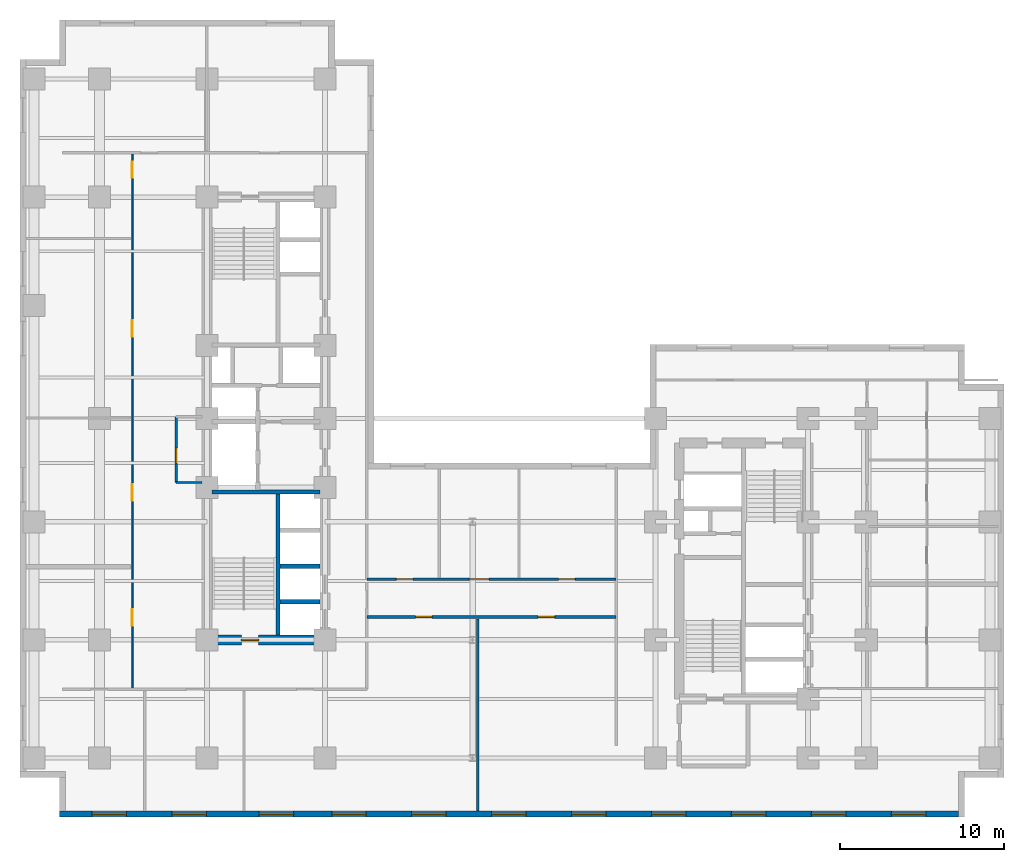
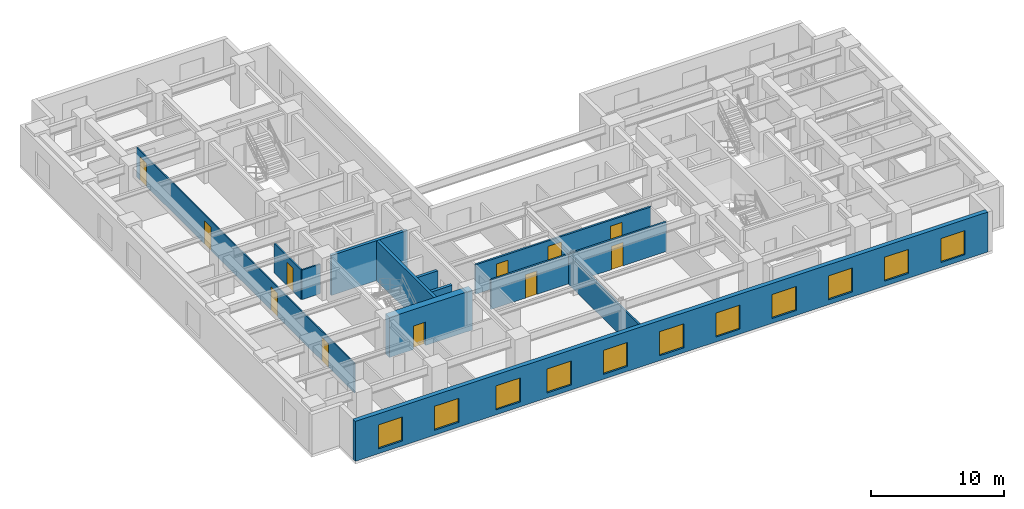
# One storey, part 3 of 9: 12 walls, 11 doors, 11 windows, 22 openings.
"""IFC4 building model written with IfcOpenShell, lengths in metres."""

from ifc_helpers import new_model, entity, si_unit, converted_unit, direction, frame, origin_with_axes, origin_2d_with_axis, place, context, subcontext, project, spatial, polyline, rectangle, outline, extrude, material, layer, layer_set, type_object, element, fill, save


model = new_model("IFC4")

# Units and contexts
model_context = context("Model", 3, precision=1e-05, world=origin_with_axes(), true_north=direction((0.0, 1.0)))
body_context = subcontext(model_context, "Body", "Model", "MODEL_VIEW")
ifc_project = project(units=[si_unit("LENGTHUNIT", "METRE"), si_unit("AREAUNIT", "SQUARE_METRE"), si_unit("VOLUMEUNIT", "CUBIC_METRE"), converted_unit("PLANEANGLEUNIT", "DEGREE", entity("IfcPlaneAngleMeasure", 0.017453292519943295), si_unit("PLANEANGLEUNIT", "RADIAN"), dimensions=[0, 0, 0, 0, 0, 0, 0]), si_unit("MASSUNIT", "GRAM", prefix="KILO"), si_unit("THERMODYNAMICTEMPERATUREUNIT", "KELVIN")], contexts=[model_context])

# Site, building, storey
site_placement = place(None, origin_with_axes())
site = spatial("IfcSite", under=ifc_project, at=site_placement, CompositionType="ELEMENT")
building_placement = place(site_placement, origin_with_axes())
building = spatial("IfcBuilding", under=site, at=building_placement, Name="Varnlund Millrace Tower", CompositionType="ELEMENT")
storey_placement = place(building_placement, frame((0.0, 0.0, 40.5), z_axis=(0.0, 0.0, 1.0), x_axis=(1.0, 0.0, 0.0)))
storey = spatial("IfcBuildingStorey", under=building, at=storey_placement, Name="L09", CompositionType="ELEMENT", Elevation=40.5)

# Wall, opening, door
ifc_material_1 = material(Name="Concrete C80/95", Category="concrete")
ifc_layer_1 = layer(ifc_material_1, 0.6, Name="Concrete C80/95")
ifc_layer_set_1 = layer_set([ifc_layer_1], Name="Concrete C80/95")
wall_type_1 = type_object("IfcWallType", Name="Type-CoreWall-Shear-600-C80", PredefinedType="SHEAR", material=ifc_layer_set_1)
wall_1_placement = place(storey_placement, frame((11.4, 10.8, 0.0), z_axis=(0.0, 0.0, 1.0), x_axis=(1.0, 0.0, 0.0)))
wall_1 = element("IfcWall", 1, at=wall_1_placement, inside=storey, type_object=wall_type_1, Name="Type-CoreWall-Shear-600-C80", PredefinedType="SHEAR", context=body_context, shape_type="SweptSolid", body=[
    extrude(outline(polyline([(0.0, -0.3), (7.2, -0.3), (7.2, 0.3), (0.0, 0.3), (0.0, -0.3)])), origin_with_axes(), (0.0, 0.0, 1.0), 3.66),
])
opening_1_placement = place(wall_1_placement, frame((2.625, 0.0, 0.0), z_axis=(0.0, 0.0, 1.0), x_axis=(1.0, 0.0, 0.0)))
opening_1 = element("IfcOpeningElement", 2, at=opening_1_placement, cuts=wall_1, Name="Opening L09:DR-STA1", PredefinedType="OPENING", context=body_context, shape_type="SweptSolid", body=[
    extrude(rectangle(XDim=1.05, YDim=0.62, at=origin_2d_with_axis()), origin_with_axes(), (0.0, 0.0, 1.0), 2.15),
])
ifc_material_2 = material(Name="Fire-rated hollow steel door", Category="steel")
door_type_1 = type_object("IfcDoorType", Name="Type-FireDoor-Stair-1050X2150", OperationType="NOTDEFINED", PredefinedType="DOOR", material=ifc_material_2)
door_1_placement = place(wall_1_placement, frame((2.625, 0.0, 0.0), z_axis=(0.0, 0.0, 1.0), x_axis=(1.0, 0.0, 0.0)))
door_1 = element("IfcDoor", 3, at=door_1_placement, inside=storey, type_object=door_type_1, Name="Type-FireDoor-Stair-1050X2150", OperationType="SINGLE_SWING_LEFT", OverallHeight=2.15, OverallWidth=1.05, PredefinedType="DOOR", context=body_context, shape_type="SweptSolid", body=[
    extrude(rectangle(XDim=1.05, YDim=0.09, at=origin_2d_with_axis()), origin_with_axes(), (0.0, 0.0, 1.0), 2.15),
])
fill(opening_1, door_1)

# Wall, openings, windows
ifc_material_3 = material(Name="Precast concrete C50/60", Category="concrete")
ifc_layer_2 = layer(ifc_material_3, 0.38, Name="Precast concrete C50/60")
ifc_layer_set_2 = layer_set([ifc_layer_2], Name="Precast concrete C50/60")
wall_type_2 = type_object("IfcWallType", Name="Type-ExtWall-Precast-Tube-380", PredefinedType="SOLIDWALL", material=ifc_layer_set_2)
wall_2_placement = place(storey_placement, frame((57.22, 0.19, 0.0), z_axis=(0.0, 0.0, 1.0), x_axis=(-1.0, 0.0, 0.0)))
wall_2 = element("IfcWall", 4, at=wall_2_placement, inside=storey, type_object=wall_type_2, Name="Type-ExtWall-Precast-Tube-380", PredefinedType="SOLIDWALL", context=body_context, shape_type="SweptSolid", body=[
    extrude(outline(polyline([(0.0, -0.19), (54.82, -0.19), (54.82, 0.19), (0.0, 0.19), (0.0, -0.19)])), origin_with_axes(), (0.0, 0.0, 1.0), 3.66),
])
opening_2_placement = place(wall_2_placement, frame((3.037, 0.0, 0.45), z_axis=(0.0, 0.0, 1.0), x_axis=(1.0, 0.0, 0.0)))
opening_2 = element("IfcOpeningElement", 5, at=opening_2_placement, cuts=wall_2, Name="Opening L09:WN-05", PredefinedType="OPENING", context=body_context, shape_type="SweptSolid", body=[
    extrude(rectangle(XDim=2.1, YDim=0.4, at=origin_2d_with_axis()), origin_with_axes(), (0.0, 0.0, 1.0), 2.2),
])
opening_3_placement = place(wall_2_placement, frame((7.912, 0.0, 0.45), z_axis=(0.0, 0.0, 1.0), x_axis=(1.0, 0.0, 0.0)))
opening_3 = element("IfcOpeningElement", 6, at=opening_3_placement, cuts=wall_2, Name="Opening L09:WN-06", PredefinedType="OPENING", context=body_context, shape_type="SweptSolid", body=[
    extrude(rectangle(XDim=2.1, YDim=0.4, at=origin_2d_with_axis()), origin_with_axes(), (0.0, 0.0, 1.0), 2.2),
])
opening_4_placement = place(wall_2_placement, frame((12.786, 0.0, 0.45), z_axis=(0.0, 0.0, 1.0), x_axis=(1.0, 0.0, 0.0)))
opening_4 = element("IfcOpeningElement", 7, at=opening_4_placement, cuts=wall_2, Name="Opening L09:WN-07", PredefinedType="OPENING", context=body_context, shape_type="SweptSolid", body=[
    extrude(rectangle(XDim=2.1, YDim=0.4, at=origin_2d_with_axis()), origin_with_axes(), (0.0, 0.0, 1.0), 2.2),
])
opening_5_placement = place(wall_2_placement, frame((17.661, 0.0, 0.45), z_axis=(0.0, 0.0, 1.0), x_axis=(1.0, 0.0, 0.0)))
opening_5 = element("IfcOpeningElement", 8, at=opening_5_placement, cuts=wall_2, Name="Opening L09:WN-08", PredefinedType="OPENING", context=body_context, shape_type="SweptSolid", body=[
    extrude(rectangle(XDim=2.1, YDim=0.4, at=origin_2d_with_axis()), origin_with_axes(), (0.0, 0.0, 1.0), 2.2),
])
opening_6_placement = place(wall_2_placement, frame((22.535, 0.0, 0.45), z_axis=(0.0, 0.0, 1.0), x_axis=(1.0, 0.0, 0.0)))
opening_6 = element("IfcOpeningElement", 9, at=opening_6_placement, cuts=wall_2, Name="Opening L09:WN-09", PredefinedType="OPENING", context=body_context, shape_type="SweptSolid", body=[
    extrude(rectangle(XDim=2.1, YDim=0.4, at=origin_2d_with_axis()), origin_with_axes(), (0.0, 0.0, 1.0), 2.2),
])
opening_7_placement = place(wall_2_placement, frame((27.41, 0.0, 0.45), z_axis=(0.0, 0.0, 1.0), x_axis=(1.0, 0.0, 0.0)))
opening_7 = element("IfcOpeningElement", 10, at=opening_7_placement, cuts=wall_2, Name="Opening L09:WN-10", PredefinedType="OPENING", context=body_context, shape_type="SweptSolid", body=[
    extrude(rectangle(XDim=2.1, YDim=0.4, at=origin_2d_with_axis()), origin_with_axes(), (0.0, 0.0, 1.0), 2.2),
])
opening_8_placement = place(wall_2_placement, frame((32.285, 0.0, 0.45), z_axis=(0.0, 0.0, 1.0), x_axis=(1.0, 0.0, 0.0)))
opening_8 = element("IfcOpeningElement", 11, at=opening_8_placement, cuts=wall_2, Name="Opening L09:WN-11", PredefinedType="OPENING", context=body_context, shape_type="SweptSolid", body=[
    extrude(rectangle(XDim=2.1, YDim=0.4, at=origin_2d_with_axis()), origin_with_axes(), (0.0, 0.0, 1.0), 2.2),
])
opening_9_placement = place(wall_2_placement, frame((37.159, 0.0, 0.45), z_axis=(0.0, 0.0, 1.0), x_axis=(1.0, 0.0, 0.0)))
opening_9 = element("IfcOpeningElement", 12, at=opening_9_placement, cuts=wall_2, Name="Opening L09:WN-12", PredefinedType="OPENING", context=body_context, shape_type="SweptSolid", body=[
    extrude(rectangle(XDim=2.1, YDim=0.4, at=origin_2d_with_axis()), origin_with_axes(), (0.0, 0.0, 1.0), 2.2),
])
opening_10_placement = place(wall_2_placement, frame((41.584, 0.0, 0.45), z_axis=(0.0, 0.0, 1.0), x_axis=(1.0, 0.0, 0.0)))
opening_10 = element("IfcOpeningElement", 13, at=opening_10_placement, cuts=wall_2, Name="Opening L09:WN-13", PredefinedType="OPENING", context=body_context, shape_type="SweptSolid", body=[
    extrude(rectangle(XDim=2.1, YDim=0.4, at=origin_2d_with_axis()), origin_with_axes(), (0.0, 0.0, 1.0), 2.2),
])
opening_11_placement = place(wall_2_placement, frame((46.908, 0.0, 0.45), z_axis=(0.0, 0.0, 1.0), x_axis=(1.0, 0.0, 0.0)))
opening_11 = element("IfcOpeningElement", 14, at=opening_11_placement, cuts=wall_2, Name="Opening L09:WN-14", PredefinedType="OPENING", context=body_context, shape_type="SweptSolid", body=[
    extrude(rectangle(XDim=2.1, YDim=0.4, at=origin_2d_with_axis()), origin_with_axes(), (0.0, 0.0, 1.0), 2.2),
])
opening_12_placement = place(wall_2_placement, frame((51.783, 0.0, 0.45), z_axis=(0.0, 0.0, 1.0), x_axis=(1.0, 0.0, 0.0)))
opening_12 = element("IfcOpeningElement", 15, at=opening_12_placement, cuts=wall_2, Name="Opening L09:WN-15", PredefinedType="OPENING", context=body_context, shape_type="SweptSolid", body=[
    extrude(rectangle(XDim=2.1, YDim=0.4, at=origin_2d_with_axis()), origin_with_axes(), (0.0, 0.0, 1.0), 2.2),
])
ifc_material_4 = material(Name="Argon low-e triple glazing in thermally broken bronze frame", Category="glass")
window_type = type_object("IfcWindowType", Name="Type-Window-Punched-2100X2200", PartitioningType="SINGLE_PANEL", PredefinedType="WINDOW", material=ifc_material_4)
window_1_placement = place(wall_2_placement, frame((3.037, 0.0, 0.45), z_axis=(0.0, 0.0, 1.0), x_axis=(1.0, 0.0, 0.0)))
window_1 = element("IfcWindow", 16, at=window_1_placement, inside=storey, type_object=window_type, Name="Type-Window-Punched-2100X2200", OverallHeight=2.2, OverallWidth=2.1, PredefinedType="WINDOW", context=body_context, shape_type="SweptSolid", body=[
    extrude(rectangle(XDim=2.1, YDim=0.09, at=origin_2d_with_axis()), origin_with_axes(), (0.0, 0.0, 1.0), 2.2),
])
fill(opening_2, window_1)
window_2_placement = place(wall_2_placement, frame((7.912, 0.0, 0.45), z_axis=(0.0, 0.0, 1.0), x_axis=(1.0, 0.0, 0.0)))
window_2 = element("IfcWindow", 17, at=window_2_placement, inside=storey, type_object=window_type, Name="Type-Window-Punched-2100X2200", OverallHeight=2.2, OverallWidth=2.1, PredefinedType="WINDOW", context=body_context, shape_type="SweptSolid", body=[
    extrude(rectangle(XDim=2.1, YDim=0.09, at=origin_2d_with_axis()), origin_with_axes(), (0.0, 0.0, 1.0), 2.2),
])
fill(opening_3, window_2)
window_3_placement = place(wall_2_placement, frame((12.786, 0.0, 0.45), z_axis=(0.0, 0.0, 1.0), x_axis=(1.0, 0.0, 0.0)))
window_3 = element("IfcWindow", 18, at=window_3_placement, inside=storey, type_object=window_type, Name="Type-Window-Punched-2100X2200", OverallHeight=2.2, OverallWidth=2.1, PredefinedType="WINDOW", context=body_context, shape_type="SweptSolid", body=[
    extrude(rectangle(XDim=2.1, YDim=0.09, at=origin_2d_with_axis()), origin_with_axes(), (0.0, 0.0, 1.0), 2.2),
])
fill(opening_4, window_3)
window_4_placement = place(wall_2_placement, frame((17.661, 0.0, 0.45), z_axis=(0.0, 0.0, 1.0), x_axis=(1.0, 0.0, 0.0)))
window_4 = element("IfcWindow", 19, at=window_4_placement, inside=storey, type_object=window_type, Name="Type-Window-Punched-2100X2200", OverallHeight=2.2, OverallWidth=2.1, PredefinedType="WINDOW", context=body_context, shape_type="SweptSolid", body=[
    extrude(rectangle(XDim=2.1, YDim=0.09, at=origin_2d_with_axis()), origin_with_axes(), (0.0, 0.0, 1.0), 2.2),
])
fill(opening_5, window_4)
window_5_placement = place(wall_2_placement, frame((22.535, 0.0, 0.45), z_axis=(0.0, 0.0, 1.0), x_axis=(1.0, 0.0, 0.0)))
window_5 = element("IfcWindow", 20, at=window_5_placement, inside=storey, type_object=window_type, Name="Type-Window-Punched-2100X2200", OverallHeight=2.2, OverallWidth=2.1, PredefinedType="WINDOW", context=body_context, shape_type="SweptSolid", body=[
    extrude(rectangle(XDim=2.1, YDim=0.09, at=origin_2d_with_axis()), origin_with_axes(), (0.0, 0.0, 1.0), 2.2),
])
fill(opening_6, window_5)
window_6_placement = place(wall_2_placement, frame((27.41, 0.0, 0.45), z_axis=(0.0, 0.0, 1.0), x_axis=(1.0, 0.0, 0.0)))
window_6 = element("IfcWindow", 21, at=window_6_placement, inside=storey, type_object=window_type, Name="Type-Window-Punched-2100X2200", OverallHeight=2.2, OverallWidth=2.1, PredefinedType="WINDOW", context=body_context, shape_type="SweptSolid", body=[
    extrude(rectangle(XDim=2.1, YDim=0.09, at=origin_2d_with_axis()), origin_with_axes(), (0.0, 0.0, 1.0), 2.2),
])
fill(opening_7, window_6)
window_7_placement = place(wall_2_placement, frame((32.285, 0.0, 0.45), z_axis=(0.0, 0.0, 1.0), x_axis=(1.0, 0.0, 0.0)))
window_7 = element("IfcWindow", 22, at=window_7_placement, inside=storey, type_object=window_type, Name="Type-Window-Punched-2100X2200", OverallHeight=2.2, OverallWidth=2.1, PredefinedType="WINDOW", context=body_context, shape_type="SweptSolid", body=[
    extrude(rectangle(XDim=2.1, YDim=0.09, at=origin_2d_with_axis()), origin_with_axes(), (0.0, 0.0, 1.0), 2.2),
])
fill(opening_8, window_7)
window_8_placement = place(wall_2_placement, frame((37.159, 0.0, 0.45), z_axis=(0.0, 0.0, 1.0), x_axis=(1.0, 0.0, 0.0)))
window_8 = element("IfcWindow", 23, at=window_8_placement, inside=storey, type_object=window_type, Name="Type-Window-Punched-2100X2200", OverallHeight=2.2, OverallWidth=2.1, PredefinedType="WINDOW", context=body_context, shape_type="SweptSolid", body=[
    extrude(rectangle(XDim=2.1, YDim=0.09, at=origin_2d_with_axis()), origin_with_axes(), (0.0, 0.0, 1.0), 2.2),
])
fill(opening_9, window_8)
window_9_placement = place(wall_2_placement, frame((41.584, 0.0, 0.45), z_axis=(0.0, 0.0, 1.0), x_axis=(1.0, 0.0, 0.0)))
window_9 = element("IfcWindow", 24, at=window_9_placement, inside=storey, type_object=window_type, Name="Type-Window-Punched-2100X2200", OverallHeight=2.2, OverallWidth=2.1, PredefinedType="WINDOW", context=body_context, shape_type="SweptSolid", body=[
    extrude(rectangle(XDim=2.1, YDim=0.09, at=origin_2d_with_axis()), origin_with_axes(), (0.0, 0.0, 1.0), 2.2),
])
fill(opening_10, window_9)
window_10_placement = place(wall_2_placement, frame((46.908, 0.0, 0.45), z_axis=(0.0, 0.0, 1.0), x_axis=(1.0, 0.0, 0.0)))
window_10 = element("IfcWindow", 25, at=window_10_placement, inside=storey, type_object=window_type, Name="Type-Window-Punched-2100X2200", OverallHeight=2.2, OverallWidth=2.1, PredefinedType="WINDOW", context=body_context, shape_type="SweptSolid", body=[
    extrude(rectangle(XDim=2.1, YDim=0.09, at=origin_2d_with_axis()), origin_with_axes(), (0.0, 0.0, 1.0), 2.2),
])
fill(opening_11, window_10)
window_11_placement = place(wall_2_placement, frame((51.783, 0.0, 0.45), z_axis=(0.0, 0.0, 1.0), x_axis=(1.0, 0.0, 0.0)))
window_11 = element("IfcWindow", 26, at=window_11_placement, inside=storey, type_object=window_type, Name="Type-Window-Punched-2100X2200", OverallHeight=2.2, OverallWidth=2.1, PredefinedType="WINDOW", context=body_context, shape_type="SweptSolid", body=[
    extrude(rectangle(XDim=2.1, YDim=0.09, at=origin_2d_with_axis()), origin_with_axes(), (0.0, 0.0, 1.0), 2.2),
])
fill(opening_12, window_11)

# Wall, openings, doors
ifc_material_5 = material(Name="Fire-rated gypsum board on cold-formed steel framing", Category="steel")
ifc_layer_3 = layer(ifc_material_5, 0.16, Name="Fire-rated gypsum board on cold-formed steel framing")
ifc_layer_set_3 = layer_set([ifc_layer_3], Name="Fire-rated gypsum board on cold-formed steel framing")
wall_type_3 = type_object("IfcWallType", Name="Type-Partition-Corridor-160", PredefinedType="PARTITIONING", material=ifc_layer_set_3)
wall_3_placement = place(storey_placement, frame((21.15, 12.2, 0.0), z_axis=(0.0, 0.0, 1.0), x_axis=(1.0, 0.0, 0.0)))
wall_3 = element("IfcWall", 27, at=wall_3_placement, inside=storey, type_object=wall_type_3, Name="Type-Partition-Corridor-160", PredefinedType="PARTITIONING", context=body_context, shape_type="SweptSolid", body=[
    extrude(outline(polyline([(0.0, -0.08), (15.2, -0.08), (15.2, 0.08), (0.0, 0.08), (0.0, -0.08)])), origin_with_axes(), (0.0, 0.0, 1.0), 2.7),
])
opening_13_placement = place(wall_3_placement, frame((3.4765, 0.0, 0.0), z_axis=(0.0, 0.0, 1.0), x_axis=(1.0, 0.0, 0.0)))
opening_13 = element("IfcOpeningElement", 28, at=opening_13_placement, cuts=wall_3, Name="Opening L09:DR-KNS-01", PredefinedType="OPENING", context=body_context, shape_type="SweptSolid", body=[
    extrude(rectangle(XDim=1.0, YDim=0.18, at=origin_2d_with_axis()), origin_with_axes(), (0.0, 0.0, 1.0), 2.15),
])
opening_14_placement = place(wall_3_placement, frame((10.9465, 0.0, 0.0), z_axis=(0.0, 0.0, 1.0), x_axis=(1.0, 0.0, 0.0)))
opening_14 = element("IfcOpeningElement", 29, at=opening_14_placement, cuts=wall_3, Name="Opening L09:DR-KNS-02", PredefinedType="OPENING", context=body_context, shape_type="SweptSolid", body=[
    extrude(rectangle(XDim=1.0, YDim=0.18, at=origin_2d_with_axis()), origin_with_axes(), (0.0, 0.0, 1.0), 2.15),
])
ifc_material_6 = material(Name="Solid-core white oak and bronze frame door")
door_type_2 = type_object("IfcDoorType", Name="Type-IntDoor-Office-1000X2150", OperationType="NOTDEFINED", PredefinedType="DOOR", material=ifc_material_6)
door_2_placement = place(wall_3_placement, frame((3.4765, 0.0, 0.0), z_axis=(0.0, 0.0, 1.0), x_axis=(1.0, 0.0, 0.0)))
door_2 = element("IfcDoor", 30, at=door_2_placement, inside=storey, type_object=door_type_2, Name="Type-IntDoor-Office-1000X2150", OperationType="SINGLE_SWING_LEFT", OverallHeight=2.15, OverallWidth=1.0, PredefinedType="DOOR", context=body_context, shape_type="SweptSolid", body=[
    extrude(rectangle(XDim=1.0, YDim=0.09, at=origin_2d_with_axis()), origin_with_axes(), (0.0, 0.0, 1.0), 2.15),
])
fill(opening_13, door_2)
door_3_placement = place(wall_3_placement, frame((10.9465, 0.0, 0.0), z_axis=(0.0, 0.0, 1.0), x_axis=(1.0, 0.0, 0.0)))
door_3 = element("IfcDoor", 31, at=door_3_placement, inside=storey, type_object=door_type_2, Name="Type-IntDoor-Office-1000X2150", OperationType="SINGLE_SWING_RIGHT", OverallHeight=2.15, OverallWidth=1.0, PredefinedType="DOOR", context=body_context, shape_type="SweptSolid", body=[
    extrude(rectangle(XDim=1.0, YDim=0.09, at=origin_2d_with_axis()), origin_with_axes(), (0.0, 0.0, 1.0), 2.15),
])
fill(opening_14, door_3)

wall_4_placement = place(storey_placement, frame((21.15, 14.5, 0.0), z_axis=(0.0, 0.0, 1.0), x_axis=(1.0, 0.0, 0.0)))
wall_4 = element("IfcWall", 32, at=wall_4_placement, inside=storey, type_object=wall_type_3, Name="Type-Partition-Corridor-160", PredefinedType="PARTITIONING", context=body_context, shape_type="SweptSolid", body=[
    extrude(outline(polyline([(0.0, -0.08), (15.2, -0.08), (15.2, 0.08), (0.0, 0.08), (0.0, -0.08)])), origin_with_axes(), (0.0, 0.0, 1.0), 2.7),
])
opening_15_placement = place(wall_4_placement, frame((2.3025, 0.0, 0.0), z_axis=(0.0, 0.0, 1.0), x_axis=(1.0, 0.0, 0.0)))
opening_15 = element("IfcOpeningElement", 33, at=opening_15_placement, cuts=wall_4, Name="Opening L09:DR-KN-01", PredefinedType="OPENING", context=body_context, shape_type="SweptSolid", body=[
    extrude(rectangle(XDim=1.0, YDim=0.18, at=origin_2d_with_axis()), origin_with_axes(), (0.0, 0.0, 1.0), 2.15),
])
opening_16_placement = place(wall_4_placement, frame((6.851, 0.0, 0.0), z_axis=(0.0, 0.0, 1.0), x_axis=(1.0, 0.0, 0.0)))
opening_16 = element("IfcOpeningElement", 34, at=opening_16_placement, cuts=wall_4, Name="Opening L09:DR-KN-02", PredefinedType="OPENING", context=body_context, shape_type="SweptSolid", body=[
    extrude(rectangle(XDim=1.2, YDim=0.18, at=origin_2d_with_axis()), origin_with_axes(), (0.0, 0.0, 1.0), 2.2),
])
opening_17_placement = place(wall_4_placement, frame((12.1985, 0.0, 0.0), z_axis=(0.0, 0.0, 1.0), x_axis=(1.0, 0.0, 0.0)))
opening_17 = element("IfcOpeningElement", 35, at=opening_17_placement, cuts=wall_4, Name="Opening L09:DR-KN-03", PredefinedType="OPENING", context=body_context, shape_type="SweptSolid", body=[
    extrude(rectangle(XDim=1.0, YDim=0.18, at=origin_2d_with_axis()), origin_with_axes(), (0.0, 0.0, 1.0), 2.15),
])
ifc_material_7 = material(Name="Wide executive white oak acoustic door")
door_type_3 = type_object("IfcDoorType", Name="Type-IntDoor-Exec-1200X2200", OperationType="NOTDEFINED", PredefinedType="DOOR", material=ifc_material_7)
door_4_placement = place(wall_4_placement, frame((6.851, 0.0, 0.0), z_axis=(0.0, 0.0, 1.0), x_axis=(1.0, 0.0, 0.0)))
door_4 = element("IfcDoor", 36, at=door_4_placement, inside=storey, type_object=door_type_3, Name="Type-IntDoor-Exec-1200X2200", OperationType="SINGLE_SWING_RIGHT", OverallHeight=2.2, OverallWidth=1.2, PredefinedType="DOOR", context=body_context, shape_type="SweptSolid", body=[
    extrude(rectangle(XDim=1.2, YDim=0.09, at=origin_2d_with_axis()), origin_with_axes(), (0.0, 0.0, 1.0), 2.2),
])
fill(opening_16, door_4)
door_5_placement = place(wall_4_placement, frame((2.3025, 0.0, 0.0), z_axis=(0.0, 0.0, 1.0), x_axis=(1.0, 0.0, 0.0)))
door_5 = element("IfcDoor", 37, at=door_5_placement, inside=storey, type_object=door_type_2, Name="Type-IntDoor-Office-1000X2150", OperationType="SINGLE_SWING_LEFT", OverallHeight=2.15, OverallWidth=1.0, PredefinedType="DOOR", context=body_context, shape_type="SweptSolid", body=[
    extrude(rectangle(XDim=1.0, YDim=0.09, at=origin_2d_with_axis()), origin_with_axes(), (0.0, 0.0, 1.0), 2.15),
])
fill(opening_15, door_5)
door_6_placement = place(wall_4_placement, frame((12.1985, 0.0, 0.0), z_axis=(0.0, 0.0, 1.0), x_axis=(1.0, 0.0, 0.0)))
door_6 = element("IfcDoor", 38, at=door_6_placement, inside=storey, type_object=door_type_2, Name="Type-IntDoor-Office-1000X2150", OperationType="SINGLE_SWING_LEFT", OverallHeight=2.15, OverallWidth=1.0, PredefinedType="DOOR", context=body_context, shape_type="SweptSolid", body=[
    extrude(rectangle(XDim=1.0, YDim=0.09, at=origin_2d_with_axis()), origin_with_axes(), (0.0, 0.0, 1.0), 2.15),
])
fill(opening_17, door_6)

# Wall
ifc_material_8 = material(Name="Acoustic STC-50 gypsum board partition", Category="gypsum")
ifc_layer_4 = layer(ifc_material_8, 0.15, Name="Acoustic STC-50 gypsum board partition")
ifc_layer_set_4 = layer_set([ifc_layer_4], Name="Acoustic STC-50 gypsum board partition")
wall_type_4 = type_object("IfcWallType", Name="Type-Partition-Demising-150", PredefinedType="PARTITIONING", material=ifc_layer_set_4)
wall_5_placement = place(storey_placement, frame((27.923, 0.36, 0.0), z_axis=(0.0, 0.0, 1.0), x_axis=(0.0, 1.0, 0.0)))
element("IfcWall", 39, at=wall_5_placement, inside=storey, type_object=wall_type_4, Name="Type-Partition-Demising-150", PredefinedType="PARTITIONING", context=body_context, shape_type="SweptSolid", body=[
    extrude(outline(polyline([(0.0, -0.075), (11.72, -0.075), (11.72, 0.075), (0.0, 0.075), (0.0, -0.075)])), origin_with_axes(), (0.0, 0.0, 1.0), 2.7),
])

# Wall, openings, doors
ifc_material_9 = material(Name="Architectural bronze and acoustic glass office front", Category="glass")
ifc_layer_5 = layer(ifc_material_9, 0.1, Name="Architectural bronze and acoustic glass office front")
ifc_layer_set_5 = layer_set([ifc_layer_5], Name="Architectural bronze and acoustic glass office front")
wall_type_5 = type_object("IfcWallType", Name="Type-Partition-Glazed-100", PredefinedType="PARTITIONING", material=ifc_layer_set_5)
wall_6_placement = place(storey_placement, frame((6.85, 7.8, 0.0), z_axis=(0.0, 0.0, 1.0), x_axis=(0.0, 1.0, 0.0)))
wall_6 = element("IfcWall", 40, at=wall_6_placement, inside=storey, type_object=wall_type_5, Name="Type-Partition-Glazed-100", PredefinedType="PARTITIONING", context=body_context, shape_type="SweptSolid", body=[
    extrude(outline(polyline([(0.0, -0.05), (32.7, -0.05), (32.7, 0.05), (0.0, 0.05), (0.0, -0.05)])), origin_with_axes(), (0.0, 0.0, 1.0), 2.7),
])
opening_18_placement = place(wall_6_placement, frame((4.357, 0.0, 0.0), z_axis=(0.0, 0.0, 1.0), x_axis=(1.0, 0.0, 0.0)))
opening_18 = element("IfcOpeningElement", 41, at=opening_18_placement, cuts=wall_6, Name="Opening L09:DR-W-01", PredefinedType="OPENING", context=body_context, shape_type="SweptSolid", body=[
    extrude(rectangle(XDim=1.0, YDim=0.12, at=origin_2d_with_axis()), origin_with_axes(), (0.0, 0.0, 1.0), 2.15),
])
opening_19_placement = place(wall_6_placement, frame((11.996, 0.0, 0.0), z_axis=(0.0, 0.0, 1.0), x_axis=(1.0, 0.0, 0.0)))
opening_19 = element("IfcOpeningElement", 42, at=opening_19_placement, cuts=wall_6, Name="Opening L09:DR-W-02", PredefinedType="OPENING", context=body_context, shape_type="SweptSolid", body=[
    extrude(rectangle(XDim=1.0, YDim=0.12, at=origin_2d_with_axis()), origin_with_axes(), (0.0, 0.0, 1.0), 2.15),
])
opening_20_placement = place(wall_6_placement, frame((21.9995, 0.0, 0.0), z_axis=(0.0, 0.0, 1.0), x_axis=(1.0, 0.0, 0.0)))
opening_20 = element("IfcOpeningElement", 43, at=opening_20_placement, cuts=wall_6, Name="Opening L09:DR-W-03", PredefinedType="OPENING", context=body_context, shape_type="SweptSolid", body=[
    extrude(rectangle(XDim=1.0, YDim=0.12, at=origin_2d_with_axis()), origin_with_axes(), (0.0, 0.0, 1.0), 2.15),
])
opening_21_placement = place(wall_6_placement, frame((31.67, 0.0, 0.0), z_axis=(0.0, 0.0, 1.0), x_axis=(1.0, 0.0, 0.0)))
opening_21 = element("IfcOpeningElement", 44, at=opening_21_placement, cuts=wall_6, Name="Opening L09:DR-W-04", PredefinedType="OPENING", context=body_context, shape_type="SweptSolid", body=[
    extrude(rectangle(XDim=1.0, YDim=0.12, at=origin_2d_with_axis()), origin_with_axes(), (0.0, 0.0, 1.0), 2.15),
])
door_7_placement = place(wall_6_placement, frame((4.357, 0.0, 0.0), z_axis=(0.0, 0.0, 1.0), x_axis=(1.0, 0.0, 0.0)))
door_7 = element("IfcDoor", 45, at=door_7_placement, inside=storey, type_object=door_type_2, Name="Type-IntDoor-Office-1000X2150", OperationType="SINGLE_SWING_LEFT", OverallHeight=2.15, OverallWidth=1.0, PredefinedType="DOOR", context=body_context, shape_type="SweptSolid", body=[
    extrude(rectangle(XDim=1.0, YDim=0.06, at=origin_2d_with_axis()), origin_with_axes(), (0.0, 0.0, 1.0), 2.15),
])
fill(opening_18, door_7)
door_8_placement = place(wall_6_placement, frame((11.996, 0.0, 0.0), z_axis=(0.0, 0.0, 1.0), x_axis=(1.0, 0.0, 0.0)))
door_8 = element("IfcDoor", 46, at=door_8_placement, inside=storey, type_object=door_type_2, Name="Type-IntDoor-Office-1000X2150", OperationType="SINGLE_SWING_RIGHT", OverallHeight=2.15, OverallWidth=1.0, PredefinedType="DOOR", context=body_context, shape_type="SweptSolid", body=[
    extrude(rectangle(XDim=1.0, YDim=0.06, at=origin_2d_with_axis()), origin_with_axes(), (0.0, 0.0, 1.0), 2.15),
])
fill(opening_19, door_8)
door_9_placement = place(wall_6_placement, frame((21.9995, 0.0, 0.0), z_axis=(0.0, 0.0, 1.0), x_axis=(1.0, 0.0, 0.0)))
door_9 = element("IfcDoor", 47, at=door_9_placement, inside=storey, type_object=door_type_2, Name="Type-IntDoor-Office-1000X2150", OperationType="SINGLE_SWING_LEFT", OverallHeight=2.15, OverallWidth=1.0, PredefinedType="DOOR", context=body_context, shape_type="SweptSolid", body=[
    extrude(rectangle(XDim=1.0, YDim=0.06, at=origin_2d_with_axis()), origin_with_axes(), (0.0, 0.0, 1.0), 2.15),
])
fill(opening_20, door_9)
door_10_placement = place(wall_6_placement, frame((31.67, 0.0, 0.0), z_axis=(0.0, 0.0, 1.0), x_axis=(1.0, 0.0, 0.0)))
door_10 = element("IfcDoor", 48, at=door_10_placement, inside=storey, type_object=door_type_2, Name="Type-IntDoor-Office-1000X2150", OperationType="SINGLE_SWING_RIGHT", OverallHeight=2.15, OverallWidth=1.0, PredefinedType="DOOR", context=body_context, shape_type="SweptSolid", body=[
    extrude(rectangle(XDim=1.0, YDim=0.06, at=origin_2d_with_axis()), origin_with_axes(), (0.0, 0.0, 1.0), 2.15),
])
fill(opening_21, door_10)

# Wall, opening, door
ifc_material_10 = material(Name="Moisture-resistant gypsum restroom partition", Category="gypsum")
ifc_layer_6 = layer(ifc_material_10, 0.14, Name="Moisture-resistant gypsum restroom partition")
ifc_layer_set_6 = layer_set([ifc_layer_6], Name="Moisture-resistant gypsum restroom partition")
wall_type_6 = type_object("IfcWallType", Name="Type-Partition-Wet-140", PredefinedType="PARTITIONING", material=ifc_layer_set_6)
wall_7_placement = place(storey_placement, frame((9.52, 20.4, 0.0), z_axis=(0.0, 0.0, 1.0), x_axis=(0.0, 1.0, 0.0)))
wall_7 = element("IfcWall", 49, at=wall_7_placement, inside=storey, type_object=wall_type_6, Name="Type-Partition-Wet-140", PredefinedType="PARTITIONING", context=body_context, shape_type="SweptSolid", body=[
    extrude(outline(polyline([(0.0, -0.07), (4.0, -0.07), (4.0, 0.07), (0.0, 0.07), (0.0, -0.07)])), origin_with_axes(), (0.0, 0.0, 1.0), 2.7),
])
opening_22_placement = place(wall_7_placement, frame((1.625, 0.0, 0.0), z_axis=(0.0, 0.0, 1.0), x_axis=(1.0, 0.0, 0.0)))
opening_22 = element("IfcOpeningElement", 50, at=opening_22_placement, cuts=wall_7, Name="Opening L09:DR-CA-WCW", PredefinedType="OPENING", context=body_context, shape_type="SweptSolid", body=[
    extrude(rectangle(XDim=0.95, YDim=0.16, at=origin_2d_with_axis()), origin_with_axes(), (0.0, 0.0, 1.0), 2.15),
])
ifc_material_11 = material(Name="Solid-core acoustic office door")
door_type_4 = type_object("IfcDoorType", Name="Type-IntDoor-Tenant-950X2150", OperationType="NOTDEFINED", PredefinedType="DOOR", material=ifc_material_11)
door_11_placement = place(wall_7_placement, frame((1.625, 0.0, 0.0), z_axis=(0.0, 0.0, 1.0), x_axis=(1.0, 0.0, 0.0)))
door_11 = element("IfcDoor", 51, at=door_11_placement, inside=storey, type_object=door_type_4, Name="Type-IntDoor-Tenant-950X2150", OperationType="SINGLE_SWING_LEFT", OverallHeight=2.15, OverallWidth=0.95, PredefinedType="DOOR", context=body_context, shape_type="SweptSolid", body=[
    extrude(rectangle(XDim=0.95, YDim=0.084, at=origin_2d_with_axis()), origin_with_axes(), (0.0, 0.0, 1.0), 2.15),
])
fill(opening_22, door_11)

# Walls
wall_8_placement = place(storey_placement, frame((9.52, 20.4, 0.0), z_axis=(0.0, 0.0, 1.0), x_axis=(1.0, 0.0, 0.0)))
element("IfcWall", 52, at=wall_8_placement, inside=storey, type_object=wall_type_6, Name="Type-Partition-Wet-140", PredefinedType="PARTITIONING", context=body_context, shape_type="SweptSolid", body=[
    extrude(outline(polyline([(0.0, -0.07), (1.58, -0.07), (1.58, 0.07), (0.0, 0.07), (0.0, -0.07)])), origin_with_axes(), (0.0, 0.0, 1.0), 2.7),
])
ifc_material_12 = material(Name="Concrete C60/75", Category="concrete")
ifc_layer_7 = layer(ifc_material_12, 0.25, Name="Concrete C60/75")
ifc_layer_set_7 = layer_set([ifc_layer_7], Name="Concrete C60/75")
wall_type_7 = type_object("IfcWallType", Name="Type-ShaftWall-Fire-250", PredefinedType="SOLIDWALL", material=ifc_layer_set_7)
for number, where, z_axis, x_axis, name in (
    (53, (15.84, 13.13, 0.0), (0.0, 0.0, 1.0), (1.0, 0.0, 0.0), "Type-ShaftWall-Fire-250"),
    (54, (15.84, 15.29, 0.0), (0.0, 0.0, 1.0), (1.0, 0.0, 0.0), "Type-ShaftWall-Fire-250"),
):
    element("IfcWall", number, at=place(storey_placement, frame(where, z_axis=z_axis, x_axis=x_axis)), inside=storey, type_object=wall_type_7, Name=name, PredefinedType="SOLIDWALL", context=body_context, shape_type="SweptSolid", body=[
        extrude(outline(polyline([(0.0, -0.125), (2.46, -0.125), (2.46, 0.125), (0.0, 0.125), (0.0, -0.125)])), origin_with_axes(), (0.0, 0.0, 1.0), 2.7),
    ])
wall_type_8 = type_object("IfcWallType", Name="Type-StairWall-Shear-250", PredefinedType="SHEAR", material=ifc_layer_set_7)
wall_9_placement = place(storey_placement, frame((15.725, 11.1, 0.0), z_axis=(0.0, 0.0, 1.0), x_axis=(0.0, 1.0, 0.0)))
element("IfcWall", 55, at=wall_9_placement, inside=storey, type_object=wall_type_8, Name="Type-StairWall-Shear-250", PredefinedType="SHEAR", context=body_context, shape_type="SweptSolid", body=[
    extrude(outline(polyline([(0.0, -0.125), (8.6, -0.125), (8.6, 0.125), (0.0, 0.125), (0.0, -0.125)])), origin_with_axes(), (0.0, 0.0, 1.0), 3.66),
])
wall_10_placement = place(storey_placement, frame((11.7, 19.825, 0.0), z_axis=(0.0, 0.0, 1.0), x_axis=(1.0, 0.0, 0.0)))
element("IfcWall", 56, at=wall_10_placement, inside=storey, type_object=wall_type_8, Name="Type-StairWall-Shear-250", PredefinedType="SHEAR", context=body_context, shape_type="SweptSolid", body=[
    extrude(outline(polyline([(0.0, -0.125), (6.6, -0.125), (6.6, 0.125), (0.0, 0.125), (0.0, -0.125)])), origin_with_axes(), (0.0, 0.0, 1.0), 3.66),
])

save(model, "model.ifc")
